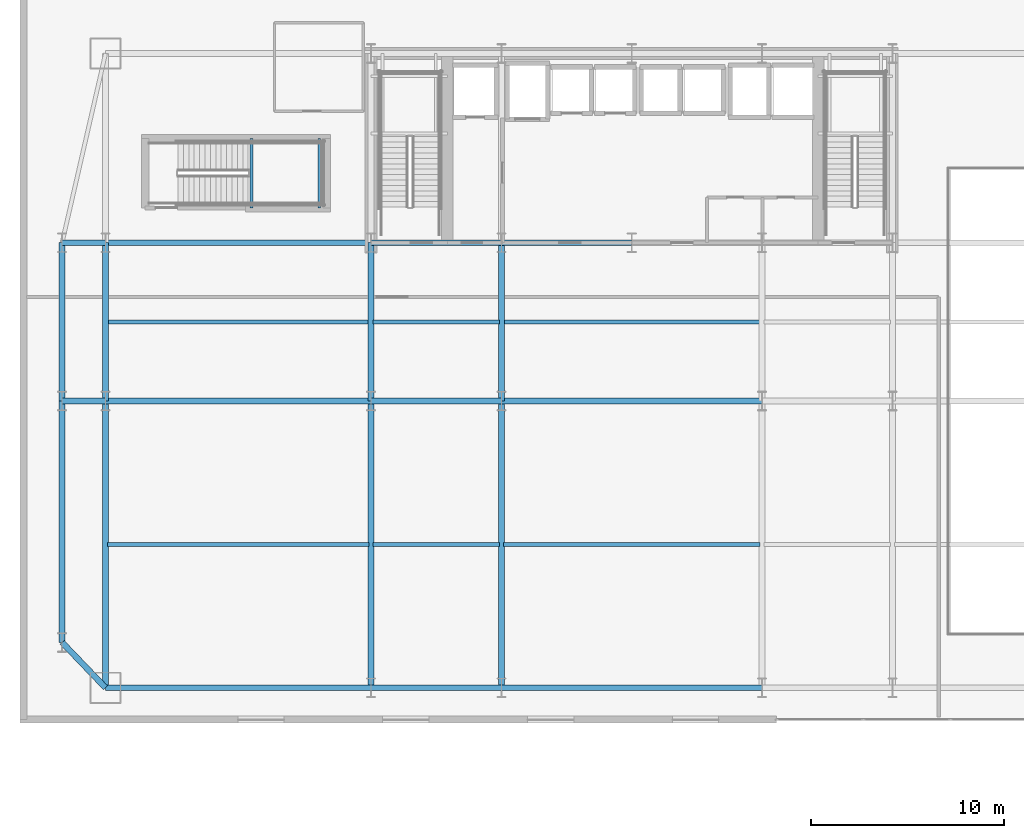
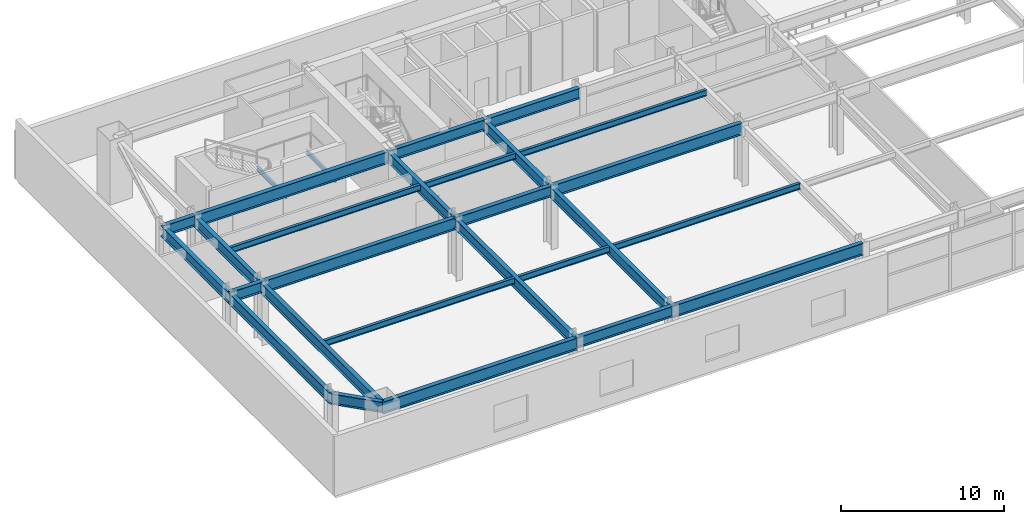
# One storey, part 3 of 25: 28 beams.
"""IFC4 building model written with IfcOpenShell, lengths in metres."""

from ifc_helpers import new_model, si_unit, direction, frame, origin, origin_2d, place, context, subcontext, project, spatial, i_section, extrude, material, material_profile, profile_set, type_object, element, save


model = new_model("IFC4")

# Units and contexts
model_context = context("Model", 3, precision=1e-05, world=origin(), true_north=direction((0.0, 1.0)))
body_context = subcontext(model_context, "Body", "Model", "MODEL_VIEW")
ifc_project = project(units=[si_unit("LENGTHUNIT", "METRE"), si_unit("AREAUNIT", "SQUARE_METRE"), si_unit("VOLUMEUNIT", "CUBIC_METRE"), si_unit("PLANEANGLEUNIT", "RADIAN"), si_unit("MASSUNIT", "GRAM", prefix="KILO")], contexts=[model_context])

# Site, building, storey
site_placement = place(None, origin())
site = spatial("IfcSite", under=ifc_project, at=site_placement, CompositionType="ELEMENT")
building_placement = place(site_placement, origin())
building = spatial("IfcBuilding", under=site, at=building_placement, Name="Haevon Station Towers", CompositionType="ELEMENT")
storey_placement = place(building_placement, frame((0.0, 0.0, 6.0)))
storey = spatial("IfcBuildingStorey", under=building, at=storey_placement, Name="L01", CompositionType="ELEMENT", Elevation=6.0)

# Beams
ifc_material = material(Name="Steel S355", Category="steel")
ifc_material_profile_1 = material_profile(ifc_material, i_section(OverallWidth=0.199951171875, OverallDepth=0.449951171875, WebThickness=0.009033203125, FlangeThickness=0.013916015625, at=origin_2d()), Name="H-450x200x9x14")
ifc_profile_set_1 = profile_set([ifc_material_profile_1], Name="Steel S355")
beam_type_1 = type_object("IfcBeamType", Name="BM-J450", PredefinedType="JOIST", material=ifc_profile_set_1)
beam_1_placement = place(storey_placement, frame((10.360107421875, 22.574951171875, 4.27490234375), z_axis=(1.0, 0.0, 0.0), x_axis=(0.0, 1.0, 0.0)))
element("IfcBeam", 1, at=beam_1_placement, inside=storey, type_object=beam_type_1, Name="BM-T1J-L01-01-01", PredefinedType="JOIST", context=body_context, shape_type="SweptSolid", body=[
    extrude(i_section(OverallWidth=0.199951171875, OverallDepth=0.449951171875, WebThickness=0.009033203125, FlangeThickness=0.013916015625, at=origin_2d()), origin(), (0.0, 0.0, 1.0), 13.52978515625),
])
beam_2_placement = place(storey_placement, frame((24.110107421875, 22.574951171875, 4.27490234375), z_axis=(1.0, 0.0, 0.0), x_axis=(0.0, 1.0, 0.0)))
element("IfcBeam", 2, at=beam_2_placement, inside=storey, type_object=beam_type_1, Name="BM-T1J-L01-01-02", PredefinedType="JOIST", context=body_context, shape_type="SweptSolid", body=[
    extrude(i_section(OverallWidth=0.199951171875, OverallDepth=0.449951171875, WebThickness=0.009033203125, FlangeThickness=0.013916015625, at=origin_2d()), origin(), (0.0, 0.0, 1.0), 6.52978515625),
])
beam_3_placement = place(storey_placement, frame((30.860107421875, 22.574951171875, 4.27490234375), z_axis=(1.0, 0.0, 0.0), x_axis=(0.0, 1.0, 0.0)))
element("IfcBeam", 3, at=beam_3_placement, inside=storey, type_object=beam_type_1, Name="BM-T1J-L01-01-03", PredefinedType="JOIST", context=body_context, shape_type="SweptSolid", body=[
    extrude(i_section(OverallWidth=0.199951171875, OverallDepth=0.449951171875, WebThickness=0.009033203125, FlangeThickness=0.013916015625, at=origin_2d()), origin(), (0.0, 0.0, 1.0), 13.27978515625),
])
beam_4_placement = place(storey_placement, frame((10.360107421875, 34.10009765625, 4.27490234375), z_axis=(1.0, 0.0, 0.0), x_axis=(0.0, 1.0, 0.0)))
element("IfcBeam", 4, at=beam_4_placement, inside=storey, type_object=beam_type_1, Name="BM-T1J-L01-02-01", PredefinedType="JOIST", context=body_context, shape_type="SweptSolid", body=[
    extrude(i_section(OverallWidth=0.199951171875, OverallDepth=0.449951171875, WebThickness=0.009033203125, FlangeThickness=0.013916015625, at=origin_2d()), origin(), (0.0, 0.0, 1.0), 13.52978515625),
])
beam_5_placement = place(storey_placement, frame((24.110107421875, 34.10009765625, 4.27490234375), z_axis=(1.0, 0.0, 0.0), x_axis=(0.0, 1.0, 0.0)))
element("IfcBeam", 5, at=beam_5_placement, inside=storey, type_object=beam_type_1, Name="BM-T1J-L01-02-02", PredefinedType="JOIST", context=body_context, shape_type="SweptSolid", body=[
    extrude(i_section(OverallWidth=0.199951171875, OverallDepth=0.449951171875, WebThickness=0.009033203125, FlangeThickness=0.013916015625, at=origin_2d()), origin(), (0.0, 0.0, 1.0), 6.52978515625),
])
beam_6_placement = place(storey_placement, frame((30.860107421875, 34.10009765625, 4.27490234375), z_axis=(1.0, 0.0, 0.0), x_axis=(0.0, 1.0, 0.0)))
element("IfcBeam", 6, at=beam_6_placement, inside=storey, type_object=beam_type_1, Name="BM-T1J-L01-02-03", PredefinedType="JOIST", context=body_context, shape_type="SweptSolid", body=[
    extrude(i_section(OverallWidth=0.199951171875, OverallDepth=0.449951171875, WebThickness=0.009033203125, FlangeThickness=0.013916015625, at=origin_2d()), origin(), (0.0, 0.0, 1.0), 13.27978515625),
])
ifc_material_profile_2 = material_profile(ifc_material, i_section(OverallWidth=0.14990234375, OverallDepth=0.300048828125, WebThickness=0.006591796875, FlangeThickness=0.009033203125, at=origin_2d()), Name="H-300x150x6.5x9")
ifc_profile_set_2 = profile_set([ifc_material_profile_2], Name="Steel S355")
beam_type_2 = type_object("IfcBeamType", Name="BM-LIN300", PredefinedType="LINTEL", material=ifc_profile_set_2)
for number, where, z_axis, x_axis, name in (
    (7, (17.81396484375, 40.0, 2.050048828125), (0.0, 1.0, 0.0), (-1.0, 0.0, 0.0), "BM-ST5L-L01-1-W"),
    (8, (21.320068359375, 40.0, 2.050048828125), (0.0, 1.0, 0.0), (-1.0, 0.0, 0.0), "BM-ST5L-L01-1-E"),
):
    element("IfcBeam", number, at=place(storey_placement, frame(where, z_axis=z_axis, x_axis=x_axis)), inside=storey, type_object=beam_type_2, Name=name, PredefinedType="LINTEL", context=body_context, shape_type="SweptSolid", body=[
        extrude(i_section(OverallWidth=0.14990234375, OverallDepth=0.300048828125, WebThickness=0.006591796875, FlangeThickness=0.009033203125, at=origin_2d()), origin(), (0.0, 0.0, 1.0), 3.60009765625),
    ])
ifc_material_profile_3 = material_profile(ifc_material, i_section(OverallWidth=0.300048828125, OverallDepth=0.800048828125, WebThickness=0.013916015625, FlangeThickness=0.02587890625, at=origin_2d()), Name="H-800x300x14x26")
ifc_profile_set_3 = profile_set([ifc_material_profile_3], Name="Steel S355")
beam_type_3 = type_object("IfcBeamType", Name="BM-PG800", PredefinedType="BEAM", material=ifc_profile_set_3)
for number, where, z_axis, x_axis, name in (
    (9, (24.0, 15.14990234375, 4.10009765625), (1.0, 0.0, 0.0), (0.0, 1.0, 0.0), "BM-T1X-L01-01-02"),
    (10, (24.0, 30.0, 4.10009765625), (1.0, 0.0, 0.0), (0.0, 1.0, 0.0), "BM-T1X-L01-02-02"),
    (11, (24.0, 38.199951171875, 4.10009765625), (1.0, 0.0, 0.0), (0.0, 1.0, 0.0), "BM-T1X-L01-03-02"),
    (12, (30.75, 38.199951171875, 4.10009765625), (1.0, 0.0, 0.0), (0.0, 1.0, 0.0), "BM-T1X-L01-03-03"),
):
    element("IfcBeam", number, at=place(storey_placement, frame(where, z_axis=z_axis, x_axis=x_axis)), inside=storey, type_object=beam_type_3, Name=name, PredefinedType="BEAM", context=body_context, shape_type="SweptSolid", body=[
        extrude(i_section(OverallWidth=0.300048828125, OverallDepth=0.800048828125, WebThickness=0.013916015625, FlangeThickness=0.02587890625, at=origin_2d()), origin(), (0.0, 0.0, 1.0), 6.75),
    ])
beam_7_placement = place(storey_placement, frame((10.25, 15.14990234375, 4.10009765625), z_axis=(0.0, 1.0, 0.0), x_axis=(-1.0, 0.0, 0.0)))
element("IfcBeam", 13, at=beam_7_placement, inside=storey, type_object=beam_type_3, Name="BM-T1Y-L01-01-01", PredefinedType="BEAM", context=body_context, shape_type="SweptSolid", body=[
    extrude(i_section(OverallWidth=0.300048828125, OverallDepth=0.800048828125, WebThickness=0.013916015625, FlangeThickness=0.02587890625, at=origin_2d()), origin(), (0.0, 0.0, 1.0), 14.85009765625),
])
beam_8_placement = place(storey_placement, frame((10.25, 30.0, 4.10009765625), z_axis=(0.0, 1.0, 0.0), x_axis=(-1.0, 0.0, 0.0)))
element("IfcBeam", 14, at=beam_8_placement, inside=storey, type_object=beam_type_3, Name="BM-T1Y-L01-01-02", PredefinedType="BEAM", context=body_context, shape_type="SweptSolid", body=[
    extrude(i_section(OverallWidth=0.300048828125, OverallDepth=0.800048828125, WebThickness=0.013916015625, FlangeThickness=0.02587890625, at=origin_2d()), origin(), (0.0, 0.0, 1.0), 8.199951171875),
])
beam_9_placement = place(storey_placement, frame((24.0, 15.14990234375, 4.10009765625), z_axis=(0.0, 1.0, 0.0), x_axis=(-1.0, 0.0, 0.0)))
element("IfcBeam", 15, at=beam_9_placement, inside=storey, type_object=beam_type_3, Name="BM-T1Y-L01-02-01", PredefinedType="BEAM", context=body_context, shape_type="SweptSolid", body=[
    extrude(i_section(OverallWidth=0.300048828125, OverallDepth=0.800048828125, WebThickness=0.013916015625, FlangeThickness=0.02587890625, at=origin_2d()), origin(), (0.0, 0.0, 1.0), 14.85009765625),
])
beam_10_placement = place(storey_placement, frame((24.0, 30.0, 4.10009765625), z_axis=(0.0, 1.0, 0.0), x_axis=(-1.0, 0.0, 0.0)))
element("IfcBeam", 16, at=beam_10_placement, inside=storey, type_object=beam_type_3, Name="BM-T1Y-L01-02-02", PredefinedType="BEAM", context=body_context, shape_type="SweptSolid", body=[
    extrude(i_section(OverallWidth=0.300048828125, OverallDepth=0.800048828125, WebThickness=0.013916015625, FlangeThickness=0.02587890625, at=origin_2d()), origin(), (0.0, 0.0, 1.0), 8.199951171875),
])
beam_11_placement = place(storey_placement, frame((30.75, 15.14990234375, 4.10009765625), z_axis=(0.0, 1.0, 0.0), x_axis=(-1.0, 0.0, 0.0)))
element("IfcBeam", 17, at=beam_11_placement, inside=storey, type_object=beam_type_3, Name="BM-T1Y-L01-03-01", PredefinedType="BEAM", context=body_context, shape_type="SweptSolid", body=[
    extrude(i_section(OverallWidth=0.300048828125, OverallDepth=0.800048828125, WebThickness=0.013916015625, FlangeThickness=0.02587890625, at=origin_2d()), origin(), (0.0, 0.0, 1.0), 14.85009765625),
])
beam_12_placement = place(storey_placement, frame((30.75, 30.0, 4.10009765625), z_axis=(0.0, 1.0, 0.0), x_axis=(-1.0, 0.0, 0.0)))
element("IfcBeam", 18, at=beam_12_placement, inside=storey, type_object=beam_type_3, Name="BM-T1Y-L01-03-02", PredefinedType="BEAM", context=body_context, shape_type="SweptSolid", body=[
    extrude(i_section(OverallWidth=0.300048828125, OverallDepth=0.800048828125, WebThickness=0.013916015625, FlangeThickness=0.02587890625, at=origin_2d()), origin(), (0.0, 0.0, 1.0), 8.199951171875),
])
beam_13_placement = place(storey_placement, frame((8.0, 17.5, 4.10009765625), z_axis=(0.691556505419, -0.722322365577, 0.0), x_axis=(0.722322365577, 0.691556505419, 0.0)))
element("IfcBeam", 19, at=beam_13_placement, inside=storey, type_object=beam_type_3, Name="BM-PODW-L01-1", PredefinedType="BEAM", context=body_context, shape_type="SweptSolid", body=[
    extrude(i_section(OverallWidth=0.300048828125, OverallDepth=0.800048828125, WebThickness=0.013916015625, FlangeThickness=0.02587890625, at=origin_2d()), origin(), (0.0, 0.0, 1.0), 3.25341796875),
])
for number, where, z_axis, x_axis, name in (
    (20, (8.0, 30.0, 4.10009765625), (1.0, 0.0, 0.0), (0.0, 1.0, 0.0), "BM-PODW-L01-2"),
    (21, (8.0, 38.199951171875, 4.10009765625), (1.0, 0.0, 0.0), (0.0, 1.0, 0.0), "BM-PODW-L01-3"),
):
    element("IfcBeam", number, at=place(storey_placement, frame(where, z_axis=z_axis, x_axis=x_axis)), inside=storey, type_object=beam_type_3, Name=name, PredefinedType="BEAM", context=body_context, shape_type="SweptSolid", body=[
        extrude(i_section(OverallWidth=0.300048828125, OverallDepth=0.800048828125, WebThickness=0.013916015625, FlangeThickness=0.02587890625, at=origin_2d()), origin(), (0.0, 0.0, 1.0), 2.25),
    ])
beam_14_placement = place(storey_placement, frame((8.0, 17.5, 4.10009765625), z_axis=(0.0, 1.0, 0.0), x_axis=(-1.0, 0.0, 0.0)))
element("IfcBeam", 22, at=beam_14_placement, inside=storey, type_object=beam_type_3, Name="BM-PODNS-L01-W1", PredefinedType="BEAM", context=body_context, shape_type="SweptSolid", body=[
    extrude(i_section(OverallWidth=0.300048828125, OverallDepth=0.800048828125, WebThickness=0.013916015625, FlangeThickness=0.02587890625, at=origin_2d()), origin(), (0.0, 0.0, 1.0), 12.5),
])
beam_15_placement = place(storey_placement, frame((8.0, 30.0, 4.10009765625), z_axis=(0.0, 1.0, 0.0), x_axis=(-1.0, 0.0, 0.0)))
element("IfcBeam", 23, at=beam_15_placement, inside=storey, type_object=beam_type_3, Name="BM-PODNS-L01-W2", PredefinedType="BEAM", context=body_context, shape_type="SweptSolid", body=[
    extrude(i_section(OverallWidth=0.300048828125, OverallDepth=0.800048828125, WebThickness=0.013916015625, FlangeThickness=0.02587890625, at=origin_2d()), origin(), (0.0, 0.0, 1.0), 8.199951171875),
])
ifc_material_profile_4 = material_profile(ifc_material, i_section(OverallWidth=0.300048828125, OverallDepth=0.89990234375, WebThickness=0.01611328125, FlangeThickness=0.028076171875, at=origin_2d()), Name="H-900x300x16x28")
ifc_profile_set_4 = profile_set([ifc_material_profile_4], Name="Steel S355")
beam_type_4 = type_object("IfcBeamType", Name="BM-PG900", PredefinedType="BEAM", material=ifc_profile_set_4)
beam_16_placement = place(storey_placement, frame((10.25, 15.14990234375, 4.050048828125), z_axis=(1.0, 0.0, 0.0), x_axis=(0.0, 1.0, 0.0)))
element("IfcBeam", 24, at=beam_16_placement, inside=storey, type_object=beam_type_4, Name="BM-T1X-L01-01-01", PredefinedType="BEAM", context=body_context, shape_type="SweptSolid", body=[
    extrude(i_section(OverallWidth=0.300048828125, OverallDepth=0.89990234375, WebThickness=0.01611328125, FlangeThickness=0.028076171875, at=origin_2d()), origin(), (0.0, 0.0, 1.0), 13.75),
])
beam_17_placement = place(storey_placement, frame((30.75, 15.14990234375, 4.050048828125), z_axis=(1.0, 0.0, 0.0), x_axis=(0.0, 1.0, 0.0)))
element("IfcBeam", 25, at=beam_17_placement, inside=storey, type_object=beam_type_4, Name="BM-T1X-L01-01-03", PredefinedType="BEAM", context=body_context, shape_type="SweptSolid", body=[
    extrude(i_section(OverallWidth=0.300048828125, OverallDepth=0.89990234375, WebThickness=0.01611328125, FlangeThickness=0.028076171875, at=origin_2d()), origin(), (0.0, 0.0, 1.0), 13.5),
])
beam_18_placement = place(storey_placement, frame((10.25, 30.0, 4.050048828125), z_axis=(1.0, 0.0, 0.0), x_axis=(0.0, 1.0, 0.0)))
element("IfcBeam", 26, at=beam_18_placement, inside=storey, type_object=beam_type_4, Name="BM-T1X-L01-02-01", PredefinedType="BEAM", context=body_context, shape_type="SweptSolid", body=[
    extrude(i_section(OverallWidth=0.300048828125, OverallDepth=0.89990234375, WebThickness=0.01611328125, FlangeThickness=0.028076171875, at=origin_2d()), origin(), (0.0, 0.0, 1.0), 13.75),
])
beam_19_placement = place(storey_placement, frame((30.75, 30.0, 4.050048828125), z_axis=(1.0, 0.0, 0.0), x_axis=(0.0, 1.0, 0.0)))
element("IfcBeam", 27, at=beam_19_placement, inside=storey, type_object=beam_type_4, Name="BM-T1X-L01-02-03", PredefinedType="BEAM", context=body_context, shape_type="SweptSolid", body=[
    extrude(i_section(OverallWidth=0.300048828125, OverallDepth=0.89990234375, WebThickness=0.01611328125, FlangeThickness=0.028076171875, at=origin_2d()), origin(), (0.0, 0.0, 1.0), 13.5),
])
beam_20_placement = place(storey_placement, frame((10.25, 38.199951171875, 4.050048828125), z_axis=(1.0, 0.0, 0.0), x_axis=(0.0, 1.0, 0.0)))
element("IfcBeam", 28, at=beam_20_placement, inside=storey, type_object=beam_type_4, Name="BM-T1X-L01-03-01", PredefinedType="BEAM", context=body_context, shape_type="SweptSolid", body=[
    extrude(i_section(OverallWidth=0.300048828125, OverallDepth=0.89990234375, WebThickness=0.01611328125, FlangeThickness=0.028076171875, at=origin_2d()), origin(), (0.0, 0.0, 1.0), 13.75),
])

save(model, "model.ifc")
